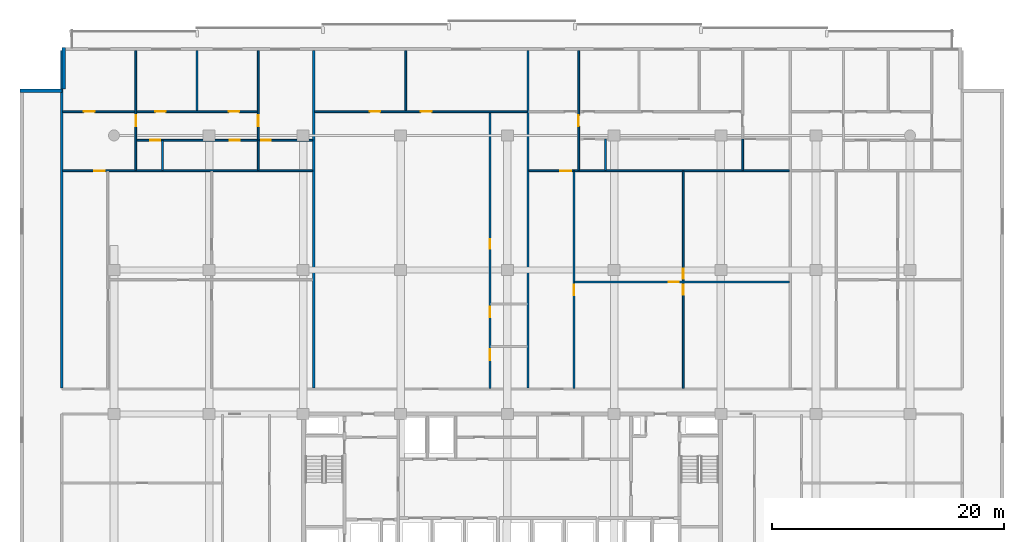
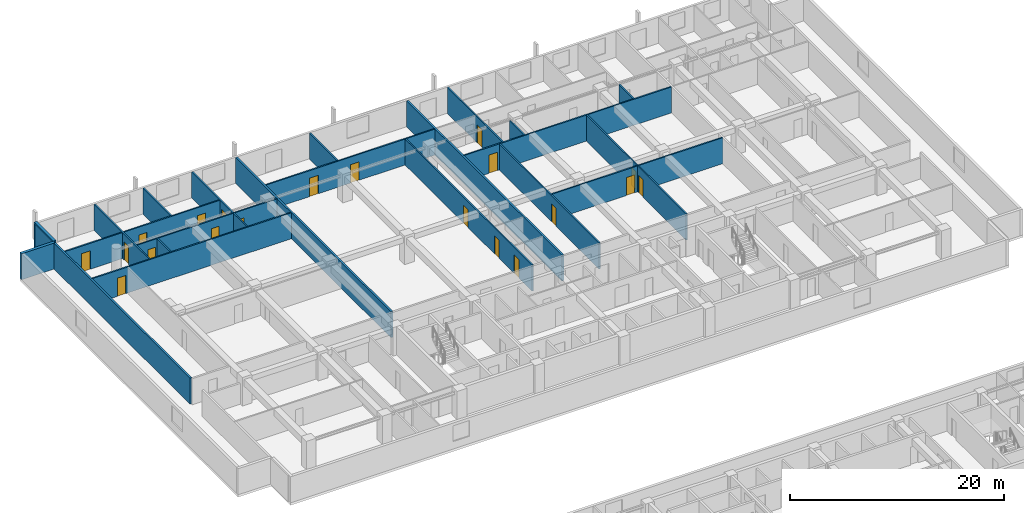
# One storey, part 14 of 23: 23 walls, 20 doors, 20 openings.
"""IFC4 building model written with IfcOpenShell, lengths in metres."""

from ifc_helpers import new_model, si_unit, direction, frame, frame_2d, origin, place, context, subcontext, project, spatial, rectangle, extrude, material, layer, layer_set, type_object, element, fill, save


model = new_model("IFC4")

# Units and contexts
model_context = context("Model", 3, precision=1e-05, world=origin(), true_north=direction((0.0, 1.0)))
body_context = subcontext(model_context, "Body", "Model", "MODEL_VIEW")
ifc_project = project(units=[si_unit("LENGTHUNIT", "METRE"), si_unit("AREAUNIT", "SQUARE_METRE"), si_unit("VOLUMEUNIT", "CUBIC_METRE"), si_unit("PLANEANGLEUNIT", "RADIAN"), si_unit("MASSUNIT", "GRAM", prefix="KILO")], contexts=[model_context])

# Site, building, storey
site_placement = place(None, origin())
site = spatial("IfcSite", under=ifc_project, at=site_placement, CompositionType="ELEMENT")
building_placement = place(site_placement, origin())
building = spatial("IfcBuilding", under=site, at=building_placement, Name="Korimba Cascade Residences", CompositionType="ELEMENT")
storey_placement = place(building_placement, frame((0.0, 0.0, 53.25)))
storey = spatial("IfcBuildingStorey", under=building, at=storey_placement, Name="L14", CompositionType="ELEMENT", Elevation=53.25)

# Walls
ifc_material_1 = material(Name="Precast concrete C40/50", Category="concrete")
ifc_layer_1 = layer(ifc_material_1, 0.300048828125)
ifc_layer_set_1 = layer_set([ifc_layer_1], Name="Precast concrete C40/50")
wall_type_1 = type_object("IfcWallType", Name="EW-STONE-300", PredefinedType="STANDARD", material=ifc_layer_set_1)
for number, where, z_axis, x_axis, name in (
    (1, (55.449951171875, 98.800048828125, 0.0), (0.0, 0.0, 1.0), (0.0, -1.0, 0.0), "L14 T1 Perimeter Stone Wall E07"),
    (2, (55.300048828125, 95.050048828125, 0.0), (0.0, 0.0, 1.0), (-1.0, 0.0, 0.0), "L14 T1 Perimeter Stone Wall E08"),
):
    element("IfcWall", number, at=place(storey_placement, frame(where, z_axis=z_axis, x_axis=x_axis)), inside=storey, type_object=wall_type_1, Name=name, PredefinedType="STANDARD", context=body_context, shape_type="SweptSolid", body=[
        extrude(rectangle(XDim=3.60009765625, YDim=0.300048828125, at=frame_2d((1.800048828125, 0.0))), origin(), (0.0, 0.0, 1.0), 2.969970703125),
    ])
ifc_layer_2 = layer(ifc_material_1, 0.199951171875)
ifc_layer_set_2 = layer_set([ifc_layer_2], Name="Precast concrete C40/50")
wall_type_2 = type_object("IfcWallType", Name="WAL-IT-200", PredefinedType="PARTITIONING", material=ifc_layer_set_2)
for number, where, z_axis, x_axis, name in (
    (3, (55.300048828125, 69.429931640625, 0.0), (0.0, 0.0, 1.0), (0.0, 1.0, 0.0), "L14 Partition Wall WAL-L14-T1-BNDWL"),
    (4, (77.00341796875, 69.429931640625, 0.0), (0.0, 0.0, 1.0), (0.0, 1.0, 0.0), "L14 Partition Wall WAL-L14-T1-DEM-1"),
    (5, (95.477294921875, 69.429931640625, 0.0), (0.0, 0.0, 1.0), (0.0, 1.0, 0.0), "L14 Partition Wall WAL-L14-T1-DEM-2"),
):
    element("IfcWall", number, at=place(storey_placement, frame(where, z_axis=z_axis, x_axis=x_axis)), inside=storey, type_object=wall_type_2, Name=name, PredefinedType="PARTITIONING", context=body_context, shape_type="SweptSolid", body=[
        extrude(rectangle(XDim=29.070068359375, YDim=0.199951171875, at=frame_2d((14.53515625, 0.0))), origin(), (0.0, 0.0, 1.0), 2.969970703125),
    ])
ifc_material_2 = material(Name="Insulated Acoustic Stud Partition", Category="gypsum")
ifc_layer_3 = layer(ifc_material_2, 0.14990234375)
ifc_layer_set_3 = layer_set([ifc_layer_3], Name="Insulated Acoustic Stud Partition")
wall_type_3 = type_object("IfcWallType", Name="WAL-PART-150", PredefinedType="PARTITIONING", material=ifc_layer_set_3)
wall_1_placement = place(storey_placement, frame((63.989990234375, 88.18994140625, 0.0), z_axis=(0.0, 0.0, 1.0), x_axis=(0.0, 1.0, 0.0)))
element("IfcWall", 6, at=wall_1_placement, inside=storey, type_object=wall_type_3, Name="L14 Partition Wall WAL-L14-T1-U01-VDRS", PredefinedType="PARTITIONING", context=body_context, shape_type="SweptSolid", body=[
    extrude(rectangle(XDim=2.580078125, YDim=0.14990234375, at=frame_2d((1.2900390625, 0.0))), origin(), (0.0, 0.0, 1.0), 2.969970703125),
])
wall_2_placement = place(storey_placement, frame((66.956787109375, 93.330078125, 0.0), z_axis=(0.0, 0.0, 1.0), x_axis=(0.0, 1.0, 0.0)))
element("IfcWall", 7, at=wall_2_placement, inside=storey, type_object=wall_type_3, Name="L14 Partition Wall WAL-L14-T1-U01-VB3", PredefinedType="PARTITIONING", context=body_context, shape_type="SweptSolid", body=[
    extrude(rectangle(XDim=5.169921875, YDim=0.14990234375, at=frame_2d((2.5849609375, 0.0))), origin(), (0.0, 0.0, 1.0), 2.969970703125),
])

# Wall, opening, door
wall_3_placement = place(storey_placement, frame((61.679931640625, 88.18994140625, 0.0), z_axis=(0.0, 0.0, 1.0), x_axis=(0.0, 1.0, 0.0)))
wall_3 = element("IfcWall", 8, at=wall_3_placement, inside=storey, type_object=wall_type_3, Name="L14 Partition Wall WAL-L14-T1-U01-V1", PredefinedType="PARTITIONING", context=body_context, shape_type="SweptSolid", body=[
    extrude(rectangle(XDim=10.31005859375, YDim=0.14990234375, at=frame_2d((5.155029296875, 0.0))), origin(), (0.0, 0.0, 1.0), 2.969970703125),
])
opening_1_placement = place(wall_3_placement, frame((3.820068359375, 0.0, 0.0)))
opening_1 = element("IfcOpeningElement", 9, at=opening_1_placement, cuts=wall_3, Name="Opening D-IN1", PredefinedType="OPENING", context=body_context, shape_type="SweptSolid", body=[
    extrude(rectangle(XDim=0.919921875, YDim=2.080078125, at=frame_2d((0.4599609375, 1.0400390625))), frame((0.0, 0.0849609375, 0.0), z_axis=(0.0, -1.0, 0.0), x_axis=(1.0, 0.0, 0.0)), (0.0, 0.0, 1.0), 0.169921875),
])
ifc_material_3 = material(Name="Acoustic Timber Living Door", Category="wood")
door_type_1 = type_object("IfcDoorType", Name="DR-INT-920", OperationType="NOTDEFINED", PredefinedType="DOOR", material=ifc_material_3)
door_1_placement = place(opening_1_placement, origin())
door_1 = element("IfcDoor", 10, at=door_1_placement, inside=storey, type_object=door_type_1, Name="L14-T1-U01 Hallway Door", OperationType="SINGLE_SWING_LEFT", OverallHeight=2.080078125, OverallWidth=0.919921875, PredefinedType="DOOR", context=body_context, shape_type="SweptSolid", body=[
    extrude(rectangle(XDim=0.919921875, YDim=2.080078125, at=frame_2d((0.4599609375, 1.0400390625))), frame((0.0, 0.02490234375, 0.0), z_axis=(0.0, -1.0, 0.0), x_axis=(1.0, 0.0, 0.0)), (0.0, 0.0, 1.0), 0.050048828125),
])
fill(opening_1, door_1)

# Wall
wall_4_placement = place(storey_placement, frame((72.2333984375, 88.18994140625, 0.0), z_axis=(0.0, 0.0, 1.0), x_axis=(0.0, 1.0, 0.0)))
element("IfcWall", 11, at=wall_4_placement, inside=storey, type_object=wall_type_3, Name="L14 Partition Wall WAL-L14-T1-U01-VBATH", PredefinedType="PARTITIONING", context=body_context, shape_type="SweptSolid", body=[
    extrude(rectangle(XDim=2.580078125, YDim=0.14990234375, at=frame_2d((1.2900390625, 0.0))), origin(), (0.0, 0.0, 1.0), 2.969970703125),
])

# Wall, opening, door
wall_5_placement = place(storey_placement, frame((72.2333984375, 90.81005859375, 0.0), z_axis=(0.0, 0.0, 1.0), x_axis=(0.0, 1.0, 0.0)))
wall_5 = element("IfcWall", 12, at=wall_5_placement, inside=storey, type_object=wall_type_3, Name="L14 Partition Wall WAL-L14-T1-U01-V2FULL", PredefinedType="PARTITIONING", context=body_context, shape_type="SweptSolid", body=[
    extrude(rectangle(XDim=7.68994140625, YDim=0.14990234375, at=frame_2d((3.844970703125, 0.0))), origin(), (0.0, 0.0, 1.0), 2.969970703125),
])
opening_2_placement = place(wall_5_placement, frame((1.199951171875, 0.0, 0.0)))
opening_2 = element("IfcOpeningElement", 13, at=opening_2_placement, cuts=wall_5, Name="Opening D-IN1", PredefinedType="OPENING", context=body_context, shape_type="SweptSolid", body=[
    extrude(rectangle(XDim=0.919921875, YDim=2.080078125, at=frame_2d((0.4599609375, 1.0400390625))), frame((0.0, 0.0849609375, 0.0), z_axis=(0.0, -1.0, 0.0), x_axis=(1.0, 0.0, 0.0)), (0.0, 0.0, 1.0), 0.169921875),
])
door_2_placement = place(opening_2_placement, origin())
door_2 = element("IfcDoor", 14, at=door_2_placement, inside=storey, type_object=door_type_1, Name="L14-T1-U01 Master Bedroom Door", OperationType="SINGLE_SWING_RIGHT", OverallHeight=2.080078125, OverallWidth=0.919921875, PredefinedType="DOOR", context=body_context, shape_type="SweptSolid", body=[
    extrude(rectangle(XDim=0.919921875, YDim=2.080078125, at=frame_2d((0.4599609375, 1.0400390625))), frame((0.0, 0.02490234375, 0.0), z_axis=(0.0, -1.0, 0.0), x_axis=(1.0, 0.0, 0.0)), (0.0, 0.0, 1.0), 0.050048828125),
])
fill(opening_2, door_2)

# Wall, openings, doors
wall_6_placement = place(storey_placement, frame((61.719970703125, 90.7900390625, 0.0), z_axis=(0.0, 0.0, 1.0), x_axis=(1.0, 0.0, 0.0)))
wall_6 = element("IfcWall", 15, at=wall_6_placement, inside=storey, type_object=wall_type_3, Name="L14 Partition Wall WAL-L14-T1-U01-HWALL", PredefinedType="PARTITIONING", context=body_context, shape_type="SweptSolid", body=[
    extrude(rectangle(XDim=15.20361328125, YDim=0.14990234375, at=frame_2d((7.601806640625, 0.0))), origin(), (0.0, 0.0, 1.0), 2.969970703125),
])
opening_3_placement = place(wall_6_placement, frame((1.2099609375, 0.0, 0.0)))
opening_3 = element("IfcOpeningElement", 16, at=opening_3_placement, cuts=wall_6, Name="Opening D-BT1", PredefinedType="OPENING", context=body_context, shape_type="SweptSolid", body=[
    extrude(rectangle(XDim=0.840087890625, YDim=2.0400390625, at=frame_2d((0.419921875, 1.02001953125))), frame((0.0, 0.0849609375, 0.0), z_axis=(0.0, -1.0, 0.0), x_axis=(1.0, 0.0, 0.0)), (0.0, 0.0, 1.0), 0.169921875),
])
opening_4_placement = place(wall_6_placement, frame((8.060791015625, 0.0, 0.0)))
opening_4 = element("IfcOpeningElement", 17, at=opening_4_placement, cuts=wall_6, Name="Opening D-BT1", PredefinedType="OPENING", context=body_context, shape_type="SweptSolid", body=[
    extrude(rectangle(XDim=0.840087890625, YDim=2.0400390625, at=frame_2d((0.419921875, 1.02001953125))), frame((0.0, 0.0849609375, 0.0), z_axis=(0.0, -1.0, 0.0), x_axis=(1.0, 0.0, 0.0)), (0.0, 0.0, 1.0), 0.169921875),
])
opening_5_placement = place(wall_6_placement, frame((10.763427734375, 0.0, 0.0)))
opening_5 = element("IfcOpeningElement", 18, at=opening_5_placement, cuts=wall_6, Name="Opening D-BT1", PredefinedType="OPENING", context=body_context, shape_type="SweptSolid", body=[
    extrude(rectangle(XDim=0.840087890625, YDim=2.0400390625, at=frame_2d((0.419921875, 1.02001953125))), frame((0.0, 0.0849609375, 0.0), z_axis=(0.0, -1.0, 0.0), x_axis=(1.0, 0.0, 0.0)), (0.0, 0.0, 1.0), 0.169921875),
])
ifc_material_4 = material(Name="Moisture-Resistant Bathroom Timber Door", Category="wood")
door_type_2 = type_object("IfcDoorType", Name="DR-INT-850", OperationType="NOTDEFINED", PredefinedType="DOOR", material=ifc_material_4)
door_3_placement = place(opening_3_placement, origin())
door_3 = element("IfcDoor", 19, at=door_3_placement, inside=storey, type_object=door_type_2, Name="L14-T1-U01 Family Bathroom Door", OperationType="SINGLE_SWING_LEFT", OverallHeight=2.0400390625, OverallWidth=0.840087890625, PredefinedType="DOOR", context=body_context, shape_type="SweptSolid", body=[
    extrude(rectangle(XDim=0.840087890625, YDim=2.0400390625, at=frame_2d((0.419921875, 1.02001953125))), frame((0.0, 0.02490234375, 0.0), z_axis=(0.0, -1.0, 0.0), x_axis=(1.0, 0.0, 0.0)), (0.0, 0.0, 1.0), 0.050048828125),
])
fill(opening_3, door_3)
door_4_placement = place(opening_4_placement, origin())
door_4 = element("IfcDoor", 20, at=door_4_placement, inside=storey, type_object=door_type_2, Name="L14-T1-U01 Dressing Room Door", OperationType="SINGLE_SWING_RIGHT", OverallHeight=2.0400390625, OverallWidth=0.840087890625, PredefinedType="DOOR", context=body_context, shape_type="SweptSolid", body=[
    extrude(rectangle(XDim=0.840087890625, YDim=2.0400390625, at=frame_2d((0.419921875, 1.02001953125))), frame((0.0, 0.02490234375, 0.0), z_axis=(0.0, -1.0, 0.0), x_axis=(1.0, 0.0, 0.0)), (0.0, 0.0, 1.0), 0.050048828125),
])
fill(opening_4, door_4)
door_5_placement = place(opening_5_placement, origin())
door_5 = element("IfcDoor", 21, at=door_5_placement, inside=storey, type_object=door_type_2, Name="L14-T1-U01 En-Suite Door", OperationType="SINGLE_SWING_LEFT", OverallHeight=2.0400390625, OverallWidth=0.840087890625, PredefinedType="DOOR", context=body_context, shape_type="SweptSolid", body=[
    extrude(rectangle(XDim=0.840087890625, YDim=2.0400390625, at=frame_2d((0.419921875, 1.02001953125))), frame((0.0, 0.02490234375, 0.0), z_axis=(0.0, -1.0, 0.0), x_axis=(1.0, 0.0, 0.0)), (0.0, 0.0, 1.0), 0.050048828125),
])
fill(opening_5, door_5)

# Wall, opening, door
wall_7_placement = place(storey_placement, frame((55.3798828125, 88.14990234375, 0.0), z_axis=(0.0, 0.0, 1.0), x_axis=(1.0, 0.0, 0.0)))
wall_7 = element("IfcWall", 22, at=wall_7_placement, inside=storey, type_object=wall_type_3, Name="L14 Partition Wall WAL-L14-T1-U01-MW", PredefinedType="PARTITIONING", context=body_context, shape_type="SweptSolid", body=[
    extrude(rectangle(XDim=21.543701171875, YDim=0.14990234375, at=frame_2d((10.77197265625, 0.0))), origin(), (0.0, 0.0, 1.0), 2.969970703125),
])
opening_6_placement = place(wall_7_placement, frame((2.719970703125, 0.0, 0.0)))
opening_6 = element("IfcOpeningElement", 23, at=opening_6_placement, cuts=wall_7, Name="Opening D-IN1", PredefinedType="OPENING", context=body_context, shape_type="SweptSolid", body=[
    extrude(rectangle(XDim=0.919921875, YDim=2.080078125, at=frame_2d((0.4599609375, 1.0400390625))), frame((0.0, 0.0849609375, 0.0), z_axis=(0.0, -1.0, 0.0), x_axis=(1.0, 0.0, 0.0)), (0.0, 0.0, 1.0), 0.169921875),
])
door_6_placement = place(opening_6_placement, origin())
door_6 = element("IfcDoor", 24, at=door_6_placement, inside=storey, type_object=door_type_1, Name="L14-T1-U01 Kitchen Door", OperationType="SINGLE_SWING_RIGHT", OverallHeight=2.080078125, OverallWidth=0.919921875, PredefinedType="DOOR", context=body_context, shape_type="SweptSolid", body=[
    extrude(rectangle(XDim=0.919921875, YDim=2.080078125, at=frame_2d((0.4599609375, 1.0400390625))), frame((0.0, 0.02490234375, 0.0), z_axis=(0.0, -1.0, 0.0), x_axis=(1.0, 0.0, 0.0)), (0.0, 0.0, 1.0), 0.050048828125),
])
fill(opening_6, door_6)

# Wall, openings, doors
wall_8_placement = place(storey_placement, frame((55.3798828125, 93.25, 0.0), z_axis=(0.0, 0.0, 1.0), x_axis=(1.0, 0.0, 0.0)))
wall_8 = element("IfcWall", 25, at=wall_8_placement, inside=storey, type_object=wall_type_3, Name="L14 Partition Wall WAL-L14-T1-U01-HZ", PredefinedType="PARTITIONING", context=body_context, shape_type="SweptSolid", body=[
    extrude(rectangle(XDim=16.853515625, YDim=0.14990234375, at=frame_2d((8.4267578125, 0.0))), origin(), (0.0, 0.0, 1.0), 2.969970703125),
])
opening_7_placement = place(wall_8_placement, frame((1.80517578125, 0.0, 0.0)))
opening_7 = element("IfcOpeningElement", 26, at=opening_7_placement, cuts=wall_8, Name="Opening D-IN0", PredefinedType="OPENING", context=body_context, shape_type="SweptSolid", body=[
    extrude(rectangle(XDim=0.93994140625, YDim=2.10009765625, at=frame_2d((0.469970703125, 1.050048828125))), frame((0.0, 0.0849609375, 0.0), z_axis=(0.0, -1.0, 0.0), x_axis=(1.0, 0.0, 0.0)), (0.0, 0.0, 1.0), 0.169921875),
])
opening_8_placement = place(wall_8_placement, frame((7.98681640625, 0.0, 0.0)))
opening_8 = element("IfcOpeningElement", 27, at=opening_8_placement, cuts=wall_8, Name="Opening D-IN2", PredefinedType="OPENING", context=body_context, shape_type="SweptSolid", body=[
    extrude(rectangle(XDim=0.8798828125, YDim=2.06005859375, at=frame_2d((0.43994140625, 1.030029296875))), frame((0.0, 0.0849609375, 0.0), z_axis=(0.0, -1.0, 0.0), x_axis=(1.0, 0.0, 0.0)), (0.0, 0.0, 1.0), 0.169921875),
])
opening_9_placement = place(wall_8_placement, frame((14.3291015625, 0.0, 0.0)))
opening_9 = element("IfcOpeningElement", 28, at=opening_9_placement, cuts=wall_8, Name="Opening D-IN2", PredefinedType="OPENING", context=body_context, shape_type="SweptSolid", body=[
    extrude(rectangle(XDim=0.8798828125, YDim=2.06005859375, at=frame_2d((0.43994140625, 1.030029296875))), frame((0.0, 0.0849609375, 0.0), z_axis=(0.0, -1.0, 0.0), x_axis=(1.0, 0.0, 0.0)), (0.0, 0.0, 1.0), 0.169921875),
])
ifc_material_5 = material(Name="Acoustic Timber Bedroom Door", Category="wood")
door_type_3 = type_object("IfcDoorType", Name="DR-INT-880", OperationType="NOTDEFINED", PredefinedType="DOOR", material=ifc_material_5)
door_7_placement = place(opening_8_placement, origin())
door_7 = element("IfcDoor", 29, at=door_7_placement, inside=storey, type_object=door_type_3, Name="L14-T1-U01 Bedroom 2 Door", OperationType="SINGLE_SWING_RIGHT", OverallHeight=2.06005859375, OverallWidth=0.8798828125, PredefinedType="DOOR", context=body_context, shape_type="SweptSolid", body=[
    extrude(rectangle(XDim=0.8798828125, YDim=2.06005859375, at=frame_2d((0.43994140625, 1.030029296875))), frame((0.0, 0.02490234375, 0.0), z_axis=(0.0, -1.0, 0.0), x_axis=(1.0, 0.0, 0.0)), (0.0, 0.0, 1.0), 0.050048828125),
])
fill(opening_8, door_7)
door_8_placement = place(opening_9_placement, origin())
door_8 = element("IfcDoor", 30, at=door_8_placement, inside=storey, type_object=door_type_3, Name="L14-T1-U01 Bedroom 3 Door", OperationType="SINGLE_SWING_LEFT", OverallHeight=2.06005859375, OverallWidth=0.8798828125, PredefinedType="DOOR", context=body_context, shape_type="SweptSolid", body=[
    extrude(rectangle(XDim=0.8798828125, YDim=2.06005859375, at=frame_2d((0.43994140625, 1.030029296875))), frame((0.0, 0.02490234375, 0.0), z_axis=(0.0, -1.0, 0.0), x_axis=(1.0, 0.0, 0.0)), (0.0, 0.0, 1.0), 0.050048828125),
])
fill(opening_9, door_8)
ifc_material_6 = material(Name="Acoustic Timber Living Archway Door", Category="wood")
door_type_4 = type_object("IfcDoorType", Name="DR-INT-950", OperationType="NOTDEFINED", PredefinedType="DOOR", material=ifc_material_6)
door_9_placement = place(opening_7_placement, origin())
door_9 = element("IfcDoor", 31, at=door_9_placement, inside=storey, type_object=door_type_4, Name="L14-T1-U01 Living Room Door", OperationType="SINGLE_SWING_LEFT", OverallHeight=2.10009765625, OverallWidth=0.93994140625, PredefinedType="DOOR", context=body_context, shape_type="SweptSolid", body=[
    extrude(rectangle(XDim=0.93994140625, YDim=2.10009765625, at=frame_2d((0.469970703125, 1.050048828125))), frame((0.0, 0.02490234375, 0.0), z_axis=(0.0, -1.0, 0.0), x_axis=(1.0, 0.0, 0.0)), (0.0, 0.0, 1.0), 0.050048828125),
])
fill(opening_7, door_9)

wall_9_placement = place(storey_placement, frame((92.207275390625, 69.409912109375, 0.0), z_axis=(0.0, 0.0, 1.0), x_axis=(0.0, 1.0, 0.0)))
wall_9 = element("IfcWall", 32, at=wall_9_placement, inside=storey, type_object=wall_type_3, Name="L14 Partition Wall WAL-L14-T1-U02-WCV", PredefinedType="PARTITIONING", context=body_context, shape_type="SweptSolid", body=[
    extrude(rectangle(XDim=23.780029296875, YDim=0.14990234375, at=frame_2d((11.89013671875, 0.0))), origin(), (0.0, 0.0, 1.0), 2.969970703125),
])
opening_10_placement = place(wall_9_placement, frame((2.406005859375, 0.0, 0.0)))
opening_10 = element("IfcOpeningElement", 33, at=opening_10_placement, cuts=wall_9, Name="Opening D-AC1", PredefinedType="OPENING", context=body_context, shape_type="SweptSolid", body=[
    extrude(rectangle(XDim=0.9599609375, YDim=2.10009765625, at=frame_2d((0.47998046875, 1.050048828125))), frame((0.0, 0.0849609375, 0.0), z_axis=(0.0, -1.0, 0.0), x_axis=(1.0, 0.0, 0.0)), (0.0, 0.0, 1.0), 0.169921875),
])
opening_11_placement = place(wall_9_placement, frame((6.132568359375, 0.0, 0.0)))
opening_11 = element("IfcOpeningElement", 34, at=opening_11_placement, cuts=wall_9, Name="Opening D-IN2", PredefinedType="OPENING", context=body_context, shape_type="SweptSolid", body=[
    extrude(rectangle(XDim=0.8798828125, YDim=2.06005859375, at=frame_2d((0.43994140625, 1.030029296875))), frame((0.0, 0.0849609375, 0.0), z_axis=(0.0, -1.0, 0.0), x_axis=(1.0, 0.0, 0.0)), (0.0, 0.0, 1.0), 0.169921875),
])
opening_12_placement = place(wall_9_placement, frame((12.02587890625, 0.0, 0.0)))
opening_12 = element("IfcOpeningElement", 35, at=opening_12_placement, cuts=wall_9, Name="Opening D-BT1", PredefinedType="OPENING", context=body_context, shape_type="SweptSolid", body=[
    extrude(rectangle(XDim=0.840087890625, YDim=2.0400390625, at=frame_2d((0.419921875, 1.02001953125))), frame((0.0, 0.0849609375, 0.0), z_axis=(0.0, -1.0, 0.0), x_axis=(1.0, 0.0, 0.0)), (0.0, 0.0, 1.0), 0.169921875),
])
ifc_material_7 = material(Name="Accessible Acoustic Timber WC Door", Category="wood")
door_type_5 = type_object("IfcDoorType", Name="DR-ACC-950", OperationType="NOTDEFINED", PredefinedType="DOOR", material=ifc_material_7)
door_10_placement = place(opening_10_placement, origin())
door_10 = element("IfcDoor", 36, at=door_10_placement, inside=storey, type_object=door_type_5, Name="L14-T1-U02 Accessible WC Door", OperationType="SINGLE_SWING_RIGHT", OverallHeight=2.10009765625, OverallWidth=0.9599609375, PredefinedType="DOOR", context=body_context, shape_type="SweptSolid", body=[
    extrude(rectangle(XDim=0.9599609375, YDim=2.10009765625, at=frame_2d((0.47998046875, 1.050048828125))), frame((0.0, 0.02490234375, 0.0), z_axis=(0.0, -1.0, 0.0), x_axis=(1.0, 0.0, 0.0)), (0.0, 0.0, 1.0), 0.050048828125),
])
fill(opening_10, door_10)
door_11_placement = place(opening_12_placement, origin())
door_11 = element("IfcDoor", 37, at=door_11_placement, inside=storey, type_object=door_type_2, Name="L14-T1-U02 Suite Store Door", OperationType="SINGLE_SWING_RIGHT", OverallHeight=2.0400390625, OverallWidth=0.840087890625, PredefinedType="DOOR", context=body_context, shape_type="SweptSolid", body=[
    extrude(rectangle(XDim=0.840087890625, YDim=2.0400390625, at=frame_2d((0.419921875, 1.02001953125))), frame((0.0, 0.02490234375, 0.0), z_axis=(0.0, -1.0, 0.0), x_axis=(1.0, 0.0, 0.0)), (0.0, 0.0, 1.0), 0.050048828125),
])
fill(opening_12, door_11)
door_12_placement = place(opening_11_placement, origin())
door_12 = element("IfcDoor", 38, at=door_12_placement, inside=storey, type_object=door_type_3, Name="L14-T1-U02 Restroom WC Door", OperationType="SINGLE_SWING_LEFT", OverallHeight=2.06005859375, OverallWidth=0.8798828125, PredefinedType="DOOR", context=body_context, shape_type="SweptSolid", body=[
    extrude(rectangle(XDim=0.8798828125, YDim=2.06005859375, at=frame_2d((0.43994140625, 1.030029296875))), frame((0.0, 0.02490234375, 0.0), z_axis=(0.0, -1.0, 0.0), x_axis=(1.0, 0.0, 0.0)), (0.0, 0.0, 1.0), 0.050048828125),
])
fill(opening_11, door_12)

# Wall
wall_10_placement = place(storey_placement, frame((84.935302734375, 93.330078125, 0.0), z_axis=(0.0, 0.0, 1.0), x_axis=(0.0, 1.0, 0.0)))
element("IfcWall", 39, at=wall_10_placement, inside=storey, type_object=wall_type_3, Name="L14 Partition Wall WAL-L14-T1-U02-OUTV", PredefinedType="PARTITIONING", context=body_context, shape_type="SweptSolid", body=[
    extrude(rectangle(XDim=5.169921875, YDim=0.14990234375, at=frame_2d((2.5849609375, 0.0))), origin(), (0.0, 0.0, 1.0), 2.969970703125),
])

# Wall, openings, doors
wall_11_placement = place(storey_placement, frame((77.08349609375, 93.25, 0.0), z_axis=(0.0, 0.0, 1.0), x_axis=(1.0, 0.0, 0.0)))
wall_11 = element("IfcWall", 40, at=wall_11_placement, inside=storey, type_object=wall_type_3, Name="L14 Partition Wall WAL-L14-T1-U02-HZ", PredefinedType="PARTITIONING", context=body_context, shape_type="SweptSolid", body=[
    extrude(rectangle(XDim=18.313720703125, YDim=0.14990234375, at=frame_2d((9.15673828125, 0.0))), origin(), (0.0, 0.0, 1.0), 2.969970703125),
])
opening_13_placement = place(wall_11_placement, frame((4.73828125, 0.0, 0.0)))
opening_13 = element("IfcOpeningElement", 41, at=opening_13_placement, cuts=wall_11, Name="Opening D-IN0", PredefinedType="OPENING", context=body_context, shape_type="SweptSolid", body=[
    extrude(rectangle(XDim=0.93994140625, YDim=2.10009765625, at=frame_2d((0.469970703125, 1.050048828125))), frame((0.0, 0.0849609375, 0.0), z_axis=(0.0, -1.0, 0.0), x_axis=(1.0, 0.0, 0.0)), (0.0, 0.0, 1.0), 0.169921875),
])
opening_14_placement = place(wall_11_placement, frame((9.151611328125, 0.0, 0.0)))
opening_14 = element("IfcOpeningElement", 42, at=opening_14_placement, cuts=wall_11, Name="Opening D-IN0", PredefinedType="OPENING", context=body_context, shape_type="SweptSolid", body=[
    extrude(rectangle(XDim=0.93994140625, YDim=2.10009765625, at=frame_2d((0.469970703125, 1.050048828125))), frame((0.0, 0.0849609375, 0.0), z_axis=(0.0, -1.0, 0.0), x_axis=(1.0, 0.0, 0.0)), (0.0, 0.0, 1.0), 0.169921875),
])
door_13_placement = place(opening_13_placement, origin())
door_13 = element("IfcDoor", 43, at=door_13_placement, inside=storey, type_object=door_type_4, Name="L14-T1-U02 Fitness Pilates Gym Door", OperationType="SINGLE_SWING_LEFT", OverallHeight=2.10009765625, OverallWidth=0.93994140625, PredefinedType="DOOR", context=body_context, shape_type="SweptSolid", body=[
    extrude(rectangle(XDim=0.93994140625, YDim=2.10009765625, at=frame_2d((0.469970703125, 1.050048828125))), frame((0.0, 0.02490234375, 0.0), z_axis=(0.0, -1.0, 0.0), x_axis=(1.0, 0.0, 0.0)), (0.0, 0.0, 1.0), 0.050048828125),
])
fill(opening_13, door_13)
door_14_placement = place(opening_14_placement, origin())
door_14 = element("IfcDoor", 44, at=door_14_placement, inside=storey, type_object=door_type_4, Name="L14-T1-U02 Private Screening Cinema Door", OperationType="SINGLE_SWING_RIGHT", OverallHeight=2.10009765625, OverallWidth=0.93994140625, PredefinedType="DOOR", context=body_context, shape_type="SweptSolid", body=[
    extrude(rectangle(XDim=0.93994140625, YDim=2.10009765625, at=frame_2d((0.469970703125, 1.050048828125))), frame((0.0, 0.02490234375, 0.0), z_axis=(0.0, -1.0, 0.0), x_axis=(1.0, 0.0, 0.0)), (0.0, 0.0, 1.0), 0.050048828125),
])
fill(opening_14, door_14)

wall_12_placement = place(storey_placement, frame((108.855224609375, 69.409912109375, 0.0), z_axis=(0.0, 0.0, 1.0), x_axis=(0.0, 1.0, 0.0)))
wall_12 = element("IfcWall", 45, at=wall_12_placement, inside=storey, type_object=wall_type_3, Name="L14 Partition Wall WAL-L14-T1-U03-FMV", PredefinedType="PARTITIONING", context=body_context, shape_type="SweptSolid", body=[
    extrude(rectangle(XDim=18.7001953125, YDim=0.14990234375, at=frame_2d((9.35009765625, 0.0))), origin(), (0.0, 0.0, 1.0), 2.969970703125),
])
opening_15_placement = place(wall_12_placement, frame((8.080078125, 0.0, 0.0)))
opening_15 = element("IfcOpeningElement", 46, at=opening_15_placement, cuts=wall_12, Name="Opening D-BT1", PredefinedType="OPENING", context=body_context, shape_type="SweptSolid", body=[
    extrude(rectangle(XDim=0.840087890625, YDim=2.0400390625, at=frame_2d((0.419921875, 1.02001953125))), frame((0.0, 0.0849609375, 0.0), z_axis=(0.0, -1.0, 0.0), x_axis=(1.0, 0.0, 0.0)), (0.0, 0.0, 1.0), 0.169921875),
])
opening_16_placement = place(wall_12_placement, frame((9.419921875, 0.0, 0.0)))
opening_16 = element("IfcOpeningElement", 47, at=opening_16_placement, cuts=wall_12, Name="Opening D-IN2", PredefinedType="OPENING", context=body_context, shape_type="SweptSolid", body=[
    extrude(rectangle(XDim=0.8798828125, YDim=2.06005859375, at=frame_2d((0.43994140625, 1.030029296875))), frame((0.0, 0.0849609375, 0.0), z_axis=(0.0, -1.0, 0.0), x_axis=(1.0, 0.0, 0.0)), (0.0, 0.0, 1.0), 0.169921875),
])
door_15_placement = place(opening_15_placement, origin())
door_15 = element("IfcDoor", 48, at=door_15_placement, inside=storey, type_object=door_type_2, Name="L14-T1-U03 Wardrobe Door", OperationType="SINGLE_SWING_LEFT", OverallHeight=2.0400390625, OverallWidth=0.840087890625, PredefinedType="DOOR", context=body_context, shape_type="SweptSolid", body=[
    extrude(rectangle(XDim=0.840087890625, YDim=2.0400390625, at=frame_2d((0.419921875, 1.02001953125))), frame((0.0, 0.02490234375, 0.0), z_axis=(0.0, -1.0, 0.0), x_axis=(1.0, 0.0, 0.0)), (0.0, 0.0, 1.0), 0.050048828125),
])
fill(opening_15, door_15)
door_16_placement = place(opening_16_placement, origin())
door_16 = element("IfcDoor", 49, at=door_16_placement, inside=storey, type_object=door_type_3, Name="L14-T1-U03 Music Lounge Door", OperationType="SINGLE_SWING_RIGHT", OverallHeight=2.06005859375, OverallWidth=0.8798828125, PredefinedType="DOOR", context=body_context, shape_type="SweptSolid", body=[
    extrude(rectangle(XDim=0.8798828125, YDim=2.06005859375, at=frame_2d((0.43994140625, 1.030029296875))), frame((0.0, 0.02490234375, 0.0), z_axis=(0.0, -1.0, 0.0), x_axis=(1.0, 0.0, 0.0)), (0.0, 0.0, 1.0), 0.050048828125),
])
fill(opening_16, door_16)

# Wall, opening, door
wall_13_placement = place(storey_placement, frame((99.50732421875, 78.580078125, 0.0), z_axis=(0.0, 0.0, 1.0), x_axis=(1.0, 0.0, 0.0)))
wall_13 = element("IfcWall", 50, at=wall_13_placement, inside=storey, type_object=wall_type_3, Name="L14 Partition Wall WAL-L14-T1-U03-FMH", PredefinedType="PARTITIONING", context=body_context, shape_type="SweptSolid", body=[
    extrude(rectangle(XDim=18.495849609375, YDim=0.14990234375, at=frame_2d((9.248046875, 0.0))), origin(), (0.0, 0.0, 1.0), 2.969970703125),
])
opening_17_placement = place(wall_13_placement, frame((8.08984375, 0.0, 0.0)))
opening_17 = element("IfcOpeningElement", 51, at=opening_17_placement, cuts=wall_13, Name="Opening D-IN2", PredefinedType="OPENING", context=body_context, shape_type="SweptSolid", body=[
    extrude(rectangle(XDim=0.8798828125, YDim=2.06005859375, at=frame_2d((0.43994140625, 1.030029296875))), frame((0.0, 0.0849609375, 0.0), z_axis=(0.0, -1.0, 0.0), x_axis=(1.0, 0.0, 0.0)), (0.0, 0.0, 1.0), 0.169921875),
])
door_17_placement = place(opening_17_placement, origin())
door_17 = element("IfcDoor", 52, at=door_17_placement, inside=storey, type_object=door_type_3, Name="L14-T1-U03 Library Salon Door", OperationType="SINGLE_SWING_LEFT", OverallHeight=2.06005859375, OverallWidth=0.8798828125, PredefinedType="DOOR", context=body_context, shape_type="SweptSolid", body=[
    extrude(rectangle(XDim=0.8798828125, YDim=2.06005859375, at=frame_2d((0.43994140625, 1.030029296875))), frame((0.0, 0.02490234375, 0.0), z_axis=(0.0, -1.0, 0.0), x_axis=(1.0, 0.0, 0.0)), (0.0, 0.0, 1.0), 0.050048828125),
])
fill(opening_17, door_17)

wall_14_placement = place(storey_placement, frame((99.447265625, 69.409912109375, 0.0), z_axis=(0.0, 0.0, 1.0), x_axis=(0.0, 1.0, 0.0)))
wall_14 = element("IfcWall", 53, at=wall_14_placement, inside=storey, type_object=wall_type_3, Name="L14 Partition Wall WAL-L14-T1-U03-FV", PredefinedType="PARTITIONING", context=body_context, shape_type="SweptSolid", body=[
    extrude(rectangle(XDim=18.7001953125, YDim=0.14990234375, at=frame_2d((9.35009765625, 0.0))), origin(), (0.0, 0.0, 1.0), 2.969970703125),
])
opening_18_placement = place(wall_14_placement, frame((8.0400390625, 0.0, 0.0)))
opening_18 = element("IfcOpeningElement", 54, at=opening_18_placement, cuts=wall_14, Name="Opening D-IN2", PredefinedType="OPENING", context=body_context, shape_type="SweptSolid", body=[
    extrude(rectangle(XDim=0.8798828125, YDim=2.06005859375, at=frame_2d((0.43994140625, 1.030029296875))), frame((0.0, 0.0849609375, 0.0), z_axis=(0.0, -1.0, 0.0), x_axis=(1.0, 0.0, 0.0)), (0.0, 0.0, 1.0), 0.169921875),
])
door_18_placement = place(opening_18_placement, origin())
door_18 = element("IfcDoor", 55, at=door_18_placement, inside=storey, type_object=door_type_3, Name="L14-T1-U03 Media Lounge Door", OperationType="SINGLE_SWING_RIGHT", OverallHeight=2.06005859375, OverallWidth=0.8798828125, PredefinedType="DOOR", context=body_context, shape_type="SweptSolid", body=[
    extrude(rectangle(XDim=0.8798828125, YDim=2.06005859375, at=frame_2d((0.43994140625, 1.030029296875))), frame((0.0, 0.02490234375, 0.0), z_axis=(0.0, -1.0, 0.0), x_axis=(1.0, 0.0, 0.0)), (0.0, 0.0, 1.0), 0.050048828125),
])
fill(opening_18, door_18)

# Wall
wall_15_placement = place(storey_placement, frame((102.1572265625, 88.18994140625, 0.0), z_axis=(0.0, 0.0, 1.0), x_axis=(0.0, 1.0, 0.0)))
element("IfcWall", 56, at=wall_15_placement, inside=storey, type_object=wall_type_3, Name="L14 Partition Wall WAL-L14-T1-U03-VDRS", PredefinedType="PARTITIONING", context=body_context, shape_type="SweptSolid", body=[
    extrude(rectangle(XDim=2.68994140625, YDim=0.14990234375, at=frame_2d((1.344970703125, 0.0))), origin(), (0.0, 0.0, 1.0), 2.969970703125),
])

# Wall, opening, door
wall_16_placement = place(storey_placement, frame((99.847412109375, 88.18994140625, 0.0), z_axis=(0.0, 0.0, 1.0), x_axis=(0.0, 1.0, 0.0)))
wall_16 = element("IfcWall", 57, at=wall_16_placement, inside=storey, type_object=wall_type_3, Name="L14 Partition Wall WAL-L14-T1-U03-V1", PredefinedType="PARTITIONING", context=body_context, shape_type="SweptSolid", body=[
    extrude(rectangle(XDim=10.31005859375, YDim=0.14990234375, at=frame_2d((5.155029296875, 0.0))), origin(), (0.0, 0.0, 1.0), 2.969970703125),
])
opening_19_placement = place(wall_16_placement, frame((3.820068359375, 0.0, 0.0)))
opening_19 = element("IfcOpeningElement", 58, at=opening_19_placement, cuts=wall_16, Name="Opening D-IN1", PredefinedType="OPENING", context=body_context, shape_type="SweptSolid", body=[
    extrude(rectangle(XDim=0.919921875, YDim=2.080078125, at=frame_2d((0.4599609375, 1.0400390625))), frame((0.0, 0.0849609375, 0.0), z_axis=(0.0, -1.0, 0.0), x_axis=(1.0, 0.0, 0.0)), (0.0, 0.0, 1.0), 0.169921875),
])
door_19_placement = place(opening_19_placement, origin())
door_19 = element("IfcDoor", 59, at=door_19_placement, inside=storey, type_object=door_type_1, Name="L14-T1-U03 Hallway Door", OperationType="SINGLE_SWING_LEFT", OverallHeight=2.080078125, OverallWidth=0.919921875, PredefinedType="DOOR", context=body_context, shape_type="SweptSolid", body=[
    extrude(rectangle(XDim=0.919921875, YDim=2.080078125, at=frame_2d((0.4599609375, 1.0400390625))), frame((0.0, 0.02490234375, 0.0), z_axis=(0.0, -1.0, 0.0), x_axis=(1.0, 0.0, 0.0)), (0.0, 0.0, 1.0), 0.050048828125),
])
fill(opening_19, door_19)

# Wall
wall_17_placement = place(storey_placement, frame((113.97998046875, 88.18994140625, 0.0), z_axis=(0.0, 0.0, 1.0), x_axis=(0.0, 1.0, 0.0)))
element("IfcWall", 60, at=wall_17_placement, inside=storey, type_object=wall_type_3, Name="L14 Partition Wall WAL-L14-T1-U03-VBATH", PredefinedType="PARTITIONING", context=body_context, shape_type="SweptSolid", body=[
    extrude(rectangle(XDim=2.68994140625, YDim=0.14990234375, at=frame_2d((1.344970703125, 0.0))), origin(), (0.0, 0.0, 1.0), 2.969970703125),
])

# Wall, opening, door
wall_18_placement = place(storey_placement, frame((95.557373046875, 88.14990234375, 0.0), z_axis=(0.0, 0.0, 1.0), x_axis=(1.0, 0.0, 0.0)))
wall_18 = element("IfcWall", 61, at=wall_18_placement, inside=storey, type_object=wall_type_3, Name="L14 Partition Wall WAL-L14-T1-U03-MW", PredefinedType="PARTITIONING", context=body_context, shape_type="SweptSolid", body=[
    extrude(rectangle(XDim=22.44580078125, YDim=0.14990234375, at=frame_2d((11.222900390625, 0.0))), origin(), (0.0, 0.0, 1.0), 2.969970703125),
])
opening_20_placement = place(wall_18_placement, frame((2.719970703125, 0.0, 0.0)))
opening_20 = element("IfcOpeningElement", 62, at=opening_20_placement, cuts=wall_18, Name="Opening D-IN1", PredefinedType="OPENING", context=body_context, shape_type="SweptSolid", body=[
    extrude(rectangle(XDim=0.919921875, YDim=2.080078125, at=frame_2d((0.4599609375, 1.0400390625))), frame((0.0, 0.0849609375, 0.0), z_axis=(0.0, -1.0, 0.0), x_axis=(1.0, 0.0, 0.0)), (0.0, 0.0, 1.0), 0.169921875),
])
door_20_placement = place(opening_20_placement, origin())
door_20 = element("IfcDoor", 63, at=door_20_placement, inside=storey, type_object=door_type_1, Name="L14-T1-U03 Kitchen Door", OperationType="SINGLE_SWING_RIGHT", OverallHeight=2.080078125, OverallWidth=0.919921875, PredefinedType="DOOR", context=body_context, shape_type="SweptSolid", body=[
    extrude(rectangle(XDim=0.919921875, YDim=2.080078125, at=frame_2d((0.4599609375, 1.0400390625))), frame((0.0, 0.02490234375, 0.0), z_axis=(0.0, -1.0, 0.0), x_axis=(1.0, 0.0, 0.0)), (0.0, 0.0, 1.0), 0.050048828125),
])
fill(opening_20, door_20)

save(model, "model.ifc")
